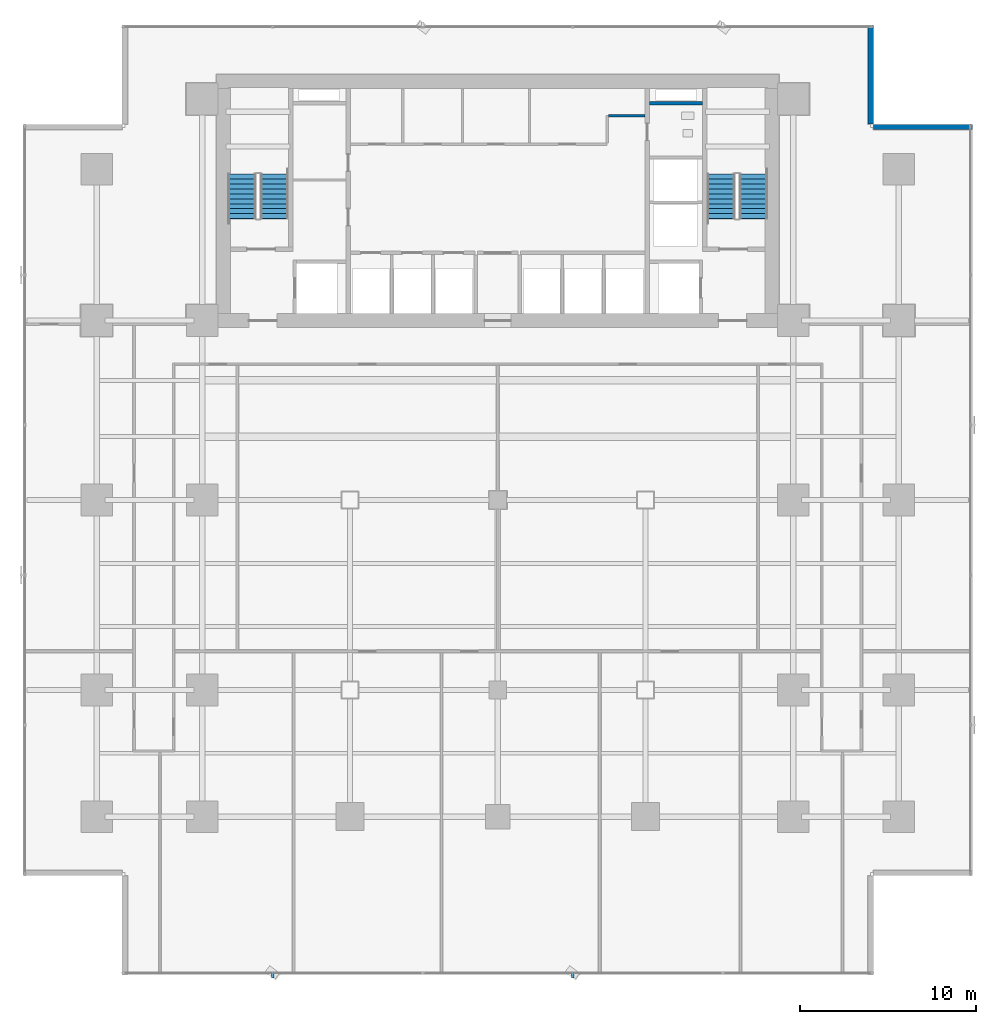
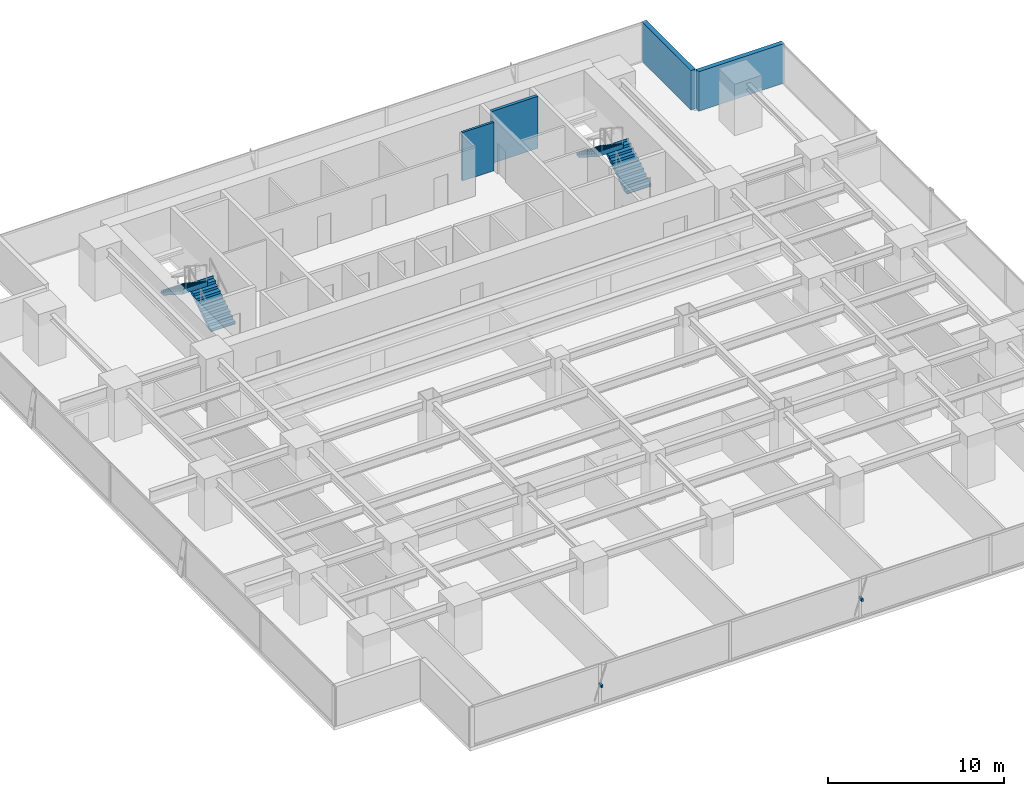
# One storey, part 27 of 33: 4 stair flights, 4 walls, 2 discrete accessories, 2 elements without a shape of their own.
"""IFC4 building model written with IfcOpenShell, lengths in metres."""

import ifcopenshell
import ifcopenshell.guid

model = None  # the IFC model being written
_history = None  # IfcOwnerHistory: only IFC2X3 demands one
_inside = {}  # id of a spatial element -> (the spatial element, [elements in it])
_under = {}  # id of a project, library or spatial element -> (it, [spatial elements below it])
_declared = {}  # id of a project -> (the project, [libraries it declares])
_typed = {}  # id of a type object -> (the type object, [elements of that type])
_made_of = {}  # id of a material, layer set ... -> (it, [elements and type objects made of it])


def new_model(schema):
    """Start an empty IFC model of exactly this schema.

    Asked for "IFC4X3", IfcOpenShell would pick the latest addendum, in which some entities
    have other attributes; the version numbers below select the first issue.
    IFC2X3 requires an IfcOwnerHistory on every rooted entity: one is made here for all.
    """
    global model, _history
    if schema == "IFC4X3":
        model = ifcopenshell.file(schema_version=(4, 3, 0, 0))
    else:
        model = ifcopenshell.file(schema=schema)
    _inside.clear()
    _under.clear()
    _declared.clear()
    _typed.clear()
    _made_of.clear()
    _history = None
    if model.schema == "IFC2X3":
        org = make("IfcOrganization", Name="unknown")
        user = make(
            "IfcPersonAndOrganization",
            ThePerson=make("IfcPerson", FamilyName="unknown"),
            TheOrganization=org,
        )
        app = make(
            "IfcApplication",
            ApplicationDeveloper=org,
            Version="unknown",
            ApplicationFullName="unknown",
            ApplicationIdentifier="unknown",
        )
        _history = make(
            "IfcOwnerHistory",
            OwningUser=user,
            OwningApplication=app,
            ChangeAction="ADDED",
            CreationDate=0,
        )
    return model


def make(cls, **values):
    """One entity of the class cls with the attributes given. An attribute that is None is left unset."""
    return model.create_entity(
        cls, **{name: value for name, value in values.items() if value is not None}
    )


def rooted(cls, **values):
    """An entity with a GlobalId (a new one), such as an element, a storey or a relation."""
    return make(cls, GlobalId=ifcopenshell.guid.new(), OwnerHistory=_history, **values)


def si_unit(unit_type, name, prefix=None):
    """IfcSIUnit, for example si_unit("LENGTHUNIT", "METRE", prefix="MILLI")."""
    return make("IfcSIUnit", UnitType=unit_type, Prefix=prefix, Name=name)


def assignment(units):
    """IfcUnitAssignment: the units of a project."""
    return None if units is None else make("IfcUnitAssignment", Units=units)


def point(xyz):
    """IfcCartesianPoint."""
    return None if xyz is None else make("IfcCartesianPoint", Coordinates=xyz)


def direction(xyz):
    """IfcDirection."""
    return None if xyz is None else make("IfcDirection", DirectionRatios=xyz)


def frame(location, z_axis=None, x_axis=None):
    """IfcAxis2Placement3D, a coordinate frame: its origin and axes. An axis left out is left unset."""
    return make(
        "IfcAxis2Placement3D",
        Location=point(location),
        Axis=direction(z_axis),
        RefDirection=direction(x_axis),
    )


def frame_2d(location, x_axis=None):
    """IfcAxis2Placement2D, a coordinate frame in the plane: its origin and x axis."""
    return make(
        "IfcAxis2Placement2D", Location=point(location), RefDirection=direction(x_axis)
    )


def origin():
    """The frame at (0, 0, 0) with its axes left unset."""
    return frame((0.0, 0.0, 0.0))


def origin_2d():
    """The frame at (0, 0) in the plane with its x axis left unset."""
    return frame_2d((0.0, 0.0))


def place(relative_to, where):
    """IfcLocalPlacement: puts the frame where relative to a parent placement (None: the world)."""
    return make(
        "IfcLocalPlacement", PlacementRelTo=relative_to, RelativePlacement=where
    )


def context(
    kind, dimensions, precision=None, world=None, true_north=None, identifier=None
):
    """IfcGeometricRepresentationContext, for example the 3D "Model" context."""
    return make(
        "IfcGeometricRepresentationContext",
        ContextIdentifier=identifier,
        ContextType=kind,
        CoordinateSpaceDimension=dimensions,
        Precision=precision,
        WorldCoordinateSystem=world,
        TrueNorth=true_north,
    )


def subcontext(parent, identifier, kind, view, scale=None):
    """IfcGeometricRepresentationSubContext, for example "Body" below "Model"."""
    return make(
        "IfcGeometricRepresentationSubContext",
        ContextIdentifier=identifier,
        ContextType=kind,
        ParentContext=parent,
        TargetScale=scale,
        TargetView=view,
    )


def project(units=None, contexts=None):
    """IfcProject with its units and contexts."""
    return rooted(
        "IfcProject",
        Name="project",
        RepresentationContexts=contexts,
        UnitsInContext=assignment(units),
    )


def spatial(cls, under=None, at=None, **own):
    """A site, building, storey or space (cls), placed at a placement, below another one or the project."""
    s = rooted(cls, ObjectPlacement=at, **own)
    if under is not None:
        _under.setdefault(under.id(), (under, []))[1].append(s)
    return s


def polyline(points):
    """IfcPolyline through the points."""
    return make("IfcPolyline", Points=[point(p) for p in points])


def profile(cls, at=None, kind="AREA", **sizes):
    """A parametric profile (cls). Its sizes go by their IFC names, for example OverallWidth=200.0."""
    return make(cls, ProfileType=kind, Position=at, **sizes)


def rectangle(**sizes):
    """IfcRectangleProfileDef."""
    return profile("IfcRectangleProfileDef", **sizes)


def outline(outer, holes=None, kind="AREA"):
    """IfcArbitraryClosedProfileDef: a profile drawn as a closed curve; with holes, ...WithVoids."""
    if holes is None:
        return make("IfcArbitraryClosedProfileDef", ProfileType=kind, OuterCurve=outer)
    return make(
        "IfcArbitraryProfileDefWithVoids",
        ProfileType=kind,
        OuterCurve=outer,
        InnerCurves=holes,
    )


def extrude(swept, where, along, depth):
    """IfcExtrudedAreaSolid: the profile swept, set in the frame where, extruded along a direction by depth."""
    return make(
        "IfcExtrudedAreaSolid",
        SweptArea=swept,
        Position=where,
        ExtrudedDirection=direction(along),
        Depth=depth,
    )


def shape(context_of_items, identifier, shape_type, items):
    """IfcShapeRepresentation: the items that make up one representation, for example the "Body"."""
    return make(
        "IfcShapeRepresentation",
        ContextOfItems=context_of_items,
        RepresentationIdentifier=identifier,
        RepresentationType=shape_type,
        Items=items,
    )


def source(mapping_origin, context_of_items, identifier, shape_type, items):
    """IfcRepresentationMap: a shape defined once, which mapped items show again and again."""
    return make(
        "IfcRepresentationMap",
        MappingOrigin=mapping_origin,
        MappedRepresentation=shape(context_of_items, identifier, shape_type, items),
    )


def transform(
    local_origin,
    x_axis=None,
    y_axis=None,
    z_axis=None,
    scale=None,
    scale2=None,
    scale3=None,
    uniform=True,
):
    """IfcCartesianTransformationOperator3D, or its non-uniform kind. x_axis, y_axis, z_axis: its Axis1, 2, 3."""
    if uniform:
        return make(
            "IfcCartesianTransformationOperator3D",
            Axis1=direction(x_axis),
            Axis2=direction(y_axis),
            LocalOrigin=point(local_origin),
            Scale=scale,
            Axis3=direction(z_axis),
        )
    return make(
        "IfcCartesianTransformationOperator3DnonUniform",
        Axis1=direction(x_axis),
        Axis2=direction(y_axis),
        LocalOrigin=point(local_origin),
        Scale=scale,
        Axis3=direction(z_axis),
        Scale2=scale2,
        Scale3=scale3,
    )


def mapped(mapping_source, mapping_target):
    """IfcMappedItem: shows the shape of a source again, moved by a transform."""
    return make(
        "IfcMappedItem", MappingSource=mapping_source, MappingTarget=mapping_target
    )


def material(Name=None, Category=None):
    """IfcMaterial."""
    return make("IfcMaterial", Name=Name, Category=Category)


def layer(
    of_material, thickness, ventilated=None, Name=None, Category=None, Priority=None
):
    """IfcMaterialLayer: one layer of a wall or slab, of a material (None: an air gap)."""
    return make(
        "IfcMaterialLayer",
        Material=of_material,
        LayerThickness=thickness,
        IsVentilated=ventilated,
        Name=Name,
        Category=Category,
        Priority=Priority,
    )


def layer_set(layers, Name=None):
    """IfcMaterialLayerSet."""
    return make("IfcMaterialLayerSet", MaterialLayers=layers, LayerSetName=Name)


def material_profile(
    of_material, cross_section, Name=None, Category=None, Priority=None
):
    """IfcMaterialProfile: a cross section and its material."""
    return make(
        "IfcMaterialProfile",
        Name=Name,
        Material=of_material,
        Profile=cross_section,
        Priority=Priority,
        Category=Category,
    )


def profile_set(profiles, Name=None, composite=None):
    """IfcMaterialProfileSet."""
    return make(
        "IfcMaterialProfileSet",
        Name=Name,
        MaterialProfiles=profiles,
        CompositeProfile=composite,
    )


def made_of(thing, what):
    """Note that an element or type object is made of a material, layer set ...; save() writes the relation."""
    if what is not None:
        _made_of.setdefault(what.id(), (what, []))[1].append(thing)
    return thing


def type_object(cls, material=None, **own):
    """A type object (cls), such as IfcWallType, which elements share."""
    return made_of(rooted(cls, **own), material)


def element(
    cls,
    number,
    at=None,
    inside=None,
    cuts=None,
    type_object=None,
    material=None,
    context=None,
    identifier="Body",
    shape_type=None,
    held_by="IfcProductDefinitionShape",
    body=None,
    shapes=None,
    **own,
):
    """One element of the class cls, such as IfcWall. Its Tag is "e" and its number.

    at: its placement. inside: the storey or other place that contains it. cuts: it is an
    opening in that element (IfcRelVoidsElement). A single representation is given by context,
    identifier, shape_type and body (its items); several are given by shapes. held_by: the class
    of the entity that holds the representations. save() writes the other relations.
    """
    e = rooted(cls, Tag="e%d" % number, ObjectPlacement=at, **own)
    if body is not None:
        shapes = [shape(context, identifier, shape_type, body)]
    if shapes is not None:
        e.Representation = make(held_by, Representations=shapes)
    if inside is not None:
        _inside.setdefault(inside.id(), (inside, []))[1].append(e)
    if cuts is not None:
        rooted(
            "IfcRelVoidsElement", RelatingBuildingElement=cuts, RelatedOpeningElement=e
        )
    if type_object is not None:
        _typed.setdefault(type_object.id(), (type_object, []))[1].append(e)
    return made_of(e, material)


def aggregate(whole, parts):
    """IfcRelAggregates: a whole, such as a stair, and the parts it consists of."""
    return rooted("IfcRelAggregates", RelatingObject=whole, RelatedObjects=parts)


def save(model, path):
    """Write the relations noted so far, then the file.

    IfcRelAggregates (storeys below a building ...), IfcRelContainedInSpatialStructure (elements
    in a storey), IfcRelDefinesByType, IfcRelAssociatesMaterial and IfcRelDeclares: one each for
    every whole, place, type object, material and project.
    """
    for whole, parts in _under.values():
        aggregate(whole, parts)
    for where, things in _inside.values():
        rooted(
            "IfcRelContainedInSpatialStructure",
            RelatedElements=things,
            RelatingStructure=where,
        )
    for kind, things in _typed.values():
        rooted("IfcRelDefinesByType", RelatedObjects=things, RelatingType=kind)
    for what, things in _made_of.values():
        rooted("IfcRelAssociatesMaterial", RelatedObjects=things, RelatingMaterial=what)
    for by, libraries in _declared.values():
        rooted("IfcRelDeclares", RelatingContext=by, RelatedDefinitions=libraries)
    model.write(path)


model = new_model("IFC4")

# Units and contexts
model_context = context("Model", 3, precision=1e-05, world=origin(), true_north=direction((0.0, 1.0)))
body_context = subcontext(model_context, "Body", "Model", "MODEL_VIEW")
ifc_project = project(units=[si_unit("LENGTHUNIT", "METRE"), si_unit("AREAUNIT", "SQUARE_METRE"), si_unit("VOLUMEUNIT", "CUBIC_METRE"), si_unit("PLANEANGLEUNIT", "RADIAN"), si_unit("MASSUNIT", "GRAM", prefix="KILO")], contexts=[model_context])

# Site, building, storey
site_placement = place(None, origin())
site = spatial("IfcSite", under=ifc_project, at=site_placement, CompositionType="ELEMENT")
building_placement = place(site_placement, origin())
building = spatial("IfcBuilding", under=site, at=building_placement, Name="Sumidabori Civic Tower", CompositionType="ELEMENT")
storey_placement = place(building_placement, frame((0.0, 0.0, 38.0)))
storey = spatial("IfcBuildingStorey", under=building, at=storey_placement, Name="L09", CompositionType="ELEMENT", Elevation=38.0)

# Walls
ifc_material_1 = material(Name="Concrete C50/60", Category="concrete")
ifc_layer_1 = layer(ifc_material_1, 0.199951171875, Name="Concrete C50/60")
ifc_layer_set_1 = layer_set([ifc_layer_1], Name="Concrete C50/60")
wall_type_1 = type_object("IfcWallType", Name="WL-SHAFT-200", PredefinedType="SHEAR", material=ifc_layer_set_1)
shared_shape_1 = source(origin(), body_context, "Body", "SweptSolid", [
    extrude(rectangle(XDim=3.02001953125, YDim=0.199951171875, at=frame_2d((1.510009765625, 0.0))), origin(), (0.0, 0.0, 1.0), 3.60009765625),
])
wall_1_placement = place(storey_placement, frame((8.625, 22.550048828125, 0.0), z_axis=(0.0, 0.0, 1.0), x_axis=(1.0, 0.0, 0.0)))
element("IfcWall", 1, at=wall_1_placement, inside=storey, type_object=wall_type_1, Name="Core Shear Wall L09 RIS2-S", PredefinedType="SHEAR", context=body_context, shape_type="MappedRepresentation", body=[
    mapped(shared_shape_1, transform((0.0, 0.0, 0.0), x_axis=(1.0, 0.0, 0.0), y_axis=(0.0, 1.0, 0.0), z_axis=(0.0, 0.0, 1.0), scale=1.0)),
])
ifc_material_2 = material(Name="Precast concrete C40/50", Category="concrete")
ifc_layer_2 = layer(ifc_material_2, 0.300048828125, Name="Precast concrete C40/50")
ifc_layer_set_2 = layer_set([ifc_layer_2], Name="Precast concrete C40/50")
wall_type_2 = type_object("IfcWallType", Name="WL-EXT-POD300", PredefinedType="STANDARD", material=ifc_layer_set_2)
shared_shape_2 = source(origin(), body_context, "Body", "SweptSolid", [
    extrude(rectangle(XDim=5.60986328125, YDim=0.300048828125, at=frame_2d((2.804931640625, 0.0))), origin(), (0.0, 0.0, 1.0), 2.739990234375),
])
for number, where, z_axis, x_axis, name in (
    (2, (26.97998046875, 21.199951171875, 0.0), (0.0, 0.0, 1.0), (-1.0, 0.0, 0.0), "Notched Corner Spandrel Band L09-05"),
    (3, (21.199951171875, 21.3701171875, 0.0), (0.0, 0.0, 1.0), (0.0, 1.0, 0.0), "Notched Corner Spandrel Band L09-06"),
):
    element("IfcWall", number, at=place(storey_placement, frame(where, z_axis=z_axis, x_axis=x_axis)), inside=storey, type_object=wall_type_2, Name=name, PredefinedType="STANDARD", context=body_context, shape_type="MappedRepresentation", body=[
        mapped(shared_shape_2, transform((0.0, 0.0, 0.0), x_axis=(1.0, 0.0, 0.0), y_axis=(0.0, 1.0, 0.0), z_axis=(0.0, 0.0, 1.0), scale=1.0)),
    ])
ifc_material_3 = material(Name="Gypsum Plasterboard Acoustic Partition")
ifc_layer_3 = layer(ifc_material_3, 0.14990234375, Name="Gypsum Plasterboard Acoustic Partition")
ifc_layer_set_3 = layer_set([ifc_layer_3], Name="Gypsum Plasterboard Acoustic Partition")
wall_type_3 = type_object("IfcWallType", Name="WL-PART-150", PredefinedType="PARTITIONING", material=ifc_layer_set_3)
shared_shape_3 = source(origin(), body_context, "Body", "SweptSolid", [
    extrude(rectangle(XDim=2.070068359375, YDim=0.14990234375, at=frame_2d((1.03515625, 0.0))), origin(), (0.0, 0.0, 1.0), 3.360107421875),
])
wall_2_placement = place(storey_placement, frame((6.300048828125, 21.85009765625, 0.0), z_axis=(0.0, 0.0, 1.0), x_axis=(1.0, 0.0, 0.0)))
element("IfcWall", 4, at=wall_2_placement, inside=storey, type_object=wall_type_3, Name="Interior Partition WL:L09:CBAND-ME2", PredefinedType="PARTITIONING", context=body_context, shape_type="MappedRepresentation", body=[
    mapped(shared_shape_3, transform((0.0, 0.0, 0.0), x_axis=(1.0, 0.0, 0.0), y_axis=(0.0, 1.0, 0.0), z_axis=(0.0, 0.0, 1.0), scale=1.0)),
])

# Stair, stair flights
ifc_material_4 = material(Name="Concrete C40/50", Category="concrete")
stair_type = type_object("IfcStairType", Name="ST-CORE-1600", PredefinedType="HALF_TURN_STAIR", material=ifc_material_4)
stair_1_placement = place(storey_placement, origin())
stair_1 = element("IfcStair", 5, at=stair_1_placement, inside=storey, type_object=stair_type, Name="L09 ST-1", PredefinedType="HALF_TURN_STAIR")
stair_flight_type = type_object("IfcStairFlightType", Name="SF-CORE-1600", PredefinedType="STRAIGHT", material=ifc_material_4)
shared_shape_4 = source(origin(), body_context, "Body", "SweptSolid", [
    extrude(outline(polyline([(-0.02490234375, 0.0), (-0.02490234375, 0.0400390625), (0.0, 0.0400390625), (0.0, 0.179931640625), (0.280029296875, 0.179931640625), (0.280029296875, 0.360107421875), (0.56005859375, 0.360107421875), (0.56005859375, 0.5400390625), (0.840087890625, 0.5400390625), (0.840087890625, 0.719970703125), (1.1201171875, 0.719970703125), (1.1201171875, 0.89990234375), (1.39990234375, 0.89990234375), (1.39990234375, 1.080078125), (1.679931640625, 1.080078125), (1.679931640625, 1.260009765625), (1.9599609375, 1.260009765625), (1.9599609375, 1.43994140625), (2.239990234375, 1.43994140625), (2.239990234375, 1.6201171875), (2.52001953125, 1.6201171875), (2.52001953125, 1.800048828125), (2.544921875, 1.800048828125), (2.544921875, 1.650146484375), (2.52001953125, 1.44189453125), (0.277099609375, 0.0), (-0.02490234375, 0.0)])), frame((0.0, 0.800048828125, 0.0), z_axis=(0.0, -1.0, 0.0), x_axis=(1.0, 0.0, 0.0)), (0.0, 0.0, 1.0), 1.60009765625),
])
stair_flight_1_placement = place(storey_placement, frame((-12.699951171875, 16.0, 0.0), z_axis=(0.0, 0.0, 1.0), x_axis=(0.0, 1.0, 0.0)))
stair_flight_1 = element("IfcStairFlight", 6, at=stair_flight_1_placement, type_object=stair_flight_type, Name="ST-1 flight 1", NumberOfRisers=10, NumberOfTreads=9, PredefinedType="STRAIGHT", RiserHeight=0.18, TreadLength=0.28, context=body_context, shape_type="MappedRepresentation", body=[
    mapped(shared_shape_4, transform((0.0, 0.0, 0.0), x_axis=(1.0, 0.0, 0.0), y_axis=(0.0, 1.0, 0.0), z_axis=(0.0, 0.0, 1.0), scale=1.0)),
])
stair_flight_2_placement = place(storey_placement, frame((-14.5400390625, 18.52001953125, 1.800048828125), z_axis=(0.0, 0.0, 1.0), x_axis=(0.0, -1.0, 0.0)))
stair_flight_2 = element("IfcStairFlight", 7, at=stair_flight_2_placement, type_object=stair_flight_type, Name="ST-1 flight 2", NumberOfRisers=10, NumberOfTreads=9, PredefinedType="STRAIGHT", RiserHeight=0.18, TreadLength=0.28, context=body_context, shape_type="MappedRepresentation", body=[
    mapped(shared_shape_4, transform((0.0, 0.0, 0.0), x_axis=(1.0, 0.0, 0.0), y_axis=(0.0, 1.0, 0.0), z_axis=(0.0, 0.0, 1.0), scale=1.0)),
])
aggregate(stair_1, [stair_flight_1, stair_flight_2])

stair_2_placement = place(storey_placement, origin())
stair_2 = element("IfcStair", 8, at=stair_2_placement, inside=storey, type_object=stair_type, Name="L09 ST-2", PredefinedType="HALF_TURN_STAIR")
stair_flight_3_placement = place(storey_placement, frame((14.5400390625, 16.0, 0.0), z_axis=(0.0, 0.0, 1.0), x_axis=(0.0, 1.0, 0.0)))
stair_flight_3 = element("IfcStairFlight", 9, at=stair_flight_3_placement, type_object=stair_flight_type, Name="ST-2 flight 1", NumberOfRisers=10, NumberOfTreads=9, PredefinedType="STRAIGHT", RiserHeight=0.18, TreadLength=0.28, context=body_context, shape_type="MappedRepresentation", body=[
    mapped(shared_shape_4, transform((0.0, 0.0, 0.0), x_axis=(1.0, 0.0, 0.0), y_axis=(0.0, 1.0, 0.0), z_axis=(0.0, 0.0, 1.0), scale=1.0)),
])
stair_flight_4_placement = place(storey_placement, frame((12.699951171875, 18.52001953125, 1.800048828125), z_axis=(0.0, 0.0, 1.0), x_axis=(0.0, -1.0, 0.0)))
stair_flight_4 = element("IfcStairFlight", 10, at=stair_flight_4_placement, type_object=stair_flight_type, Name="ST-2 flight 2", NumberOfRisers=10, NumberOfTreads=9, PredefinedType="STRAIGHT", RiserHeight=0.18, TreadLength=0.28, context=body_context, shape_type="MappedRepresentation", body=[
    mapped(shared_shape_4, transform((0.0, 0.0, 0.0), x_axis=(1.0, 0.0, 0.0), y_axis=(0.0, 1.0, 0.0), z_axis=(0.0, 0.0, 1.0), scale=1.0)),
])
aggregate(stair_2, [stair_flight_3, stair_flight_4])

# Discrete accessories
ifc_material_5 = material(Name="Stainless Steel Hairline Finish", Category="steel")
ifc_material_profile = material_profile(ifc_material_5, rectangle(XDim=0.1201171875, YDim=0.179931640625, at=origin_2d()), Name="STEEL BRACKET 180x120")
ifc_profile_set = profile_set([ifc_material_profile], Name="Stainless Steel Hairline Finish")
discrete_accessory_type = type_object("IfcDiscreteAccessoryType", Name="AC-BRK-180", PredefinedType="BRACKET", material=ifc_profile_set)
shared_shape_5 = source(origin(), body_context, "Body", "SweptSolid", [
    extrude(rectangle(XDim=0.1201171875, YDim=0.179931640625, at=origin_2d()), origin(), (0.0, 0.0, 1.0), 0.329833984375),
])
for number, where, z_axis, x_axis, name in (
    (11, (-12.7919921875, -26.830078125, 1.360107421875), (0.0, -1.0, 0.0), (1.0, 0.0, 0.0), "Bronze Fin Fixing Bracket L09-01"),
    (12, (4.263916015625, -26.830078125, 1.360107421875), (0.0, -1.0, 0.0), (1.0, 0.0, 0.0), "Bronze Fin Fixing Bracket L09-03"),
):
    element("IfcDiscreteAccessory", number, at=place(storey_placement, frame(where, z_axis=z_axis, x_axis=x_axis)), inside=storey, type_object=discrete_accessory_type, Name=name, PredefinedType="BRACKET", context=body_context, shape_type="MappedRepresentation", body=[
        mapped(shared_shape_5, transform((0.0, 0.0, 0.0), x_axis=(1.0, 0.0, 0.0), y_axis=(0.0, 1.0, 0.0), z_axis=(0.0, 0.0, 1.0), scale=1.0)),
    ])

save(model, "model.ifc")
